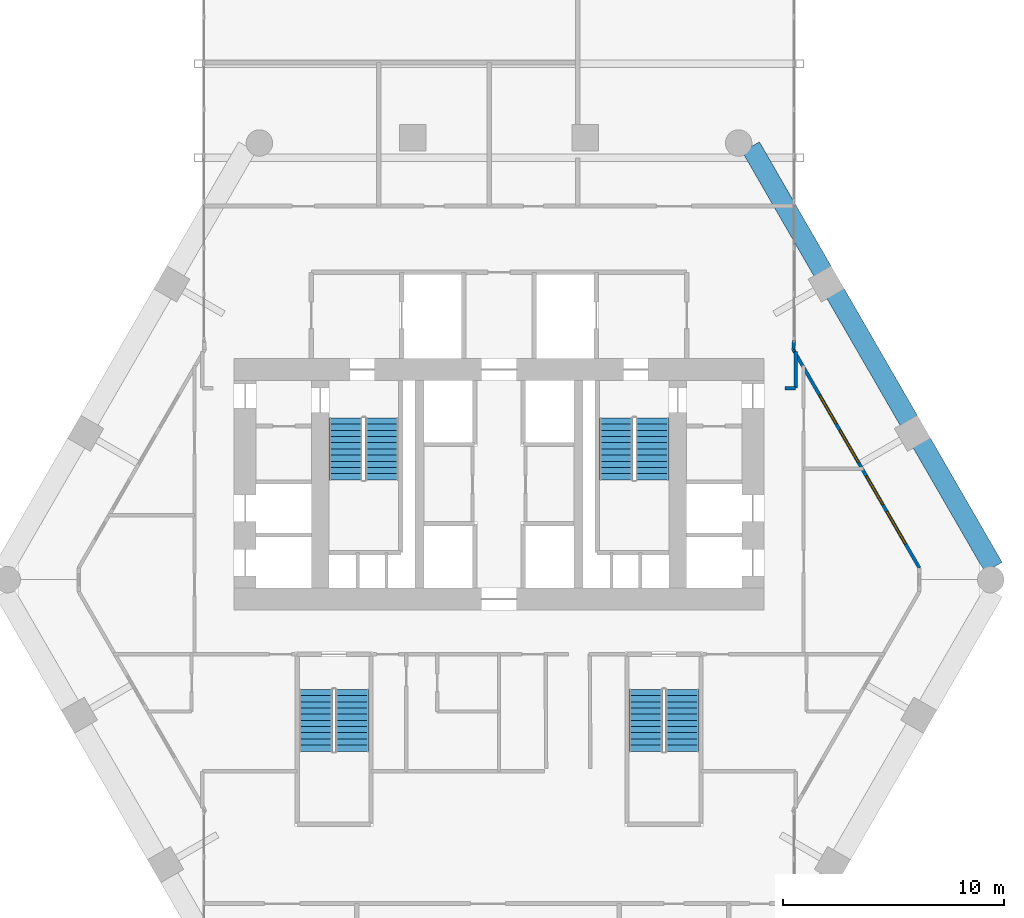
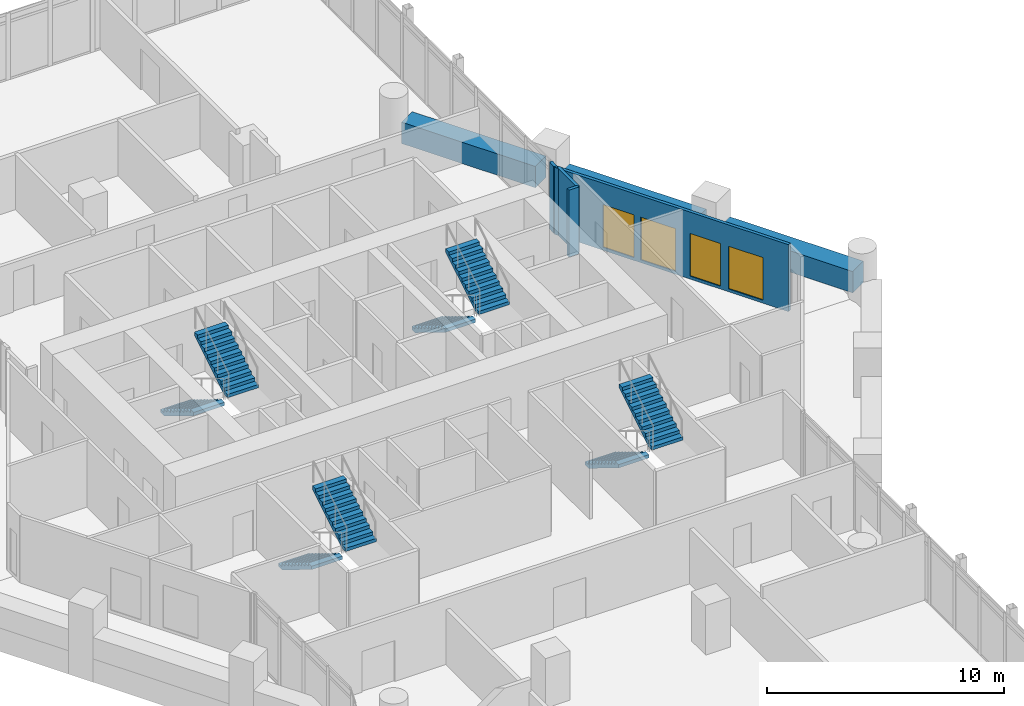
# One storey, part 27 of 28: 8 stair flights, 7 walls, 4 windows, 4 openings, 4 elements without a shape of their own.
"""IFC4 building model written with IfcOpenShell, lengths in metres."""

from ifc_helpers import new_model, si_unit, direction, frame, frame_2d, origin, place, context, subcontext, project, spatial, polyline, rectangle, outline, extrude, material, layer, layer_set, type_object, element, fill, aggregate, save


model = new_model("IFC4")

# Units and contexts
model_context = context("Model", 3, precision=1e-05, world=origin(), true_north=direction((0.0, 1.0)))
body_context = subcontext(model_context, "Body", "Model", "MODEL_VIEW")
ifc_project = project(units=[si_unit("LENGTHUNIT", "METRE"), si_unit("AREAUNIT", "SQUARE_METRE"), si_unit("VOLUMEUNIT", "CUBIC_METRE"), si_unit("PLANEANGLEUNIT", "RADIAN"), si_unit("MASSUNIT", "GRAM", prefix="KILO")], contexts=[model_context])

# Site, building, storey
site_placement = place(None, origin())
site = spatial("IfcSite", under=ifc_project, at=site_placement, CompositionType="ELEMENT")
building_placement = place(site_placement, origin())
building = spatial("IfcBuilding", under=site, at=building_placement, Name="Ostrander Bayou Hotel Tower", CompositionType="ELEMENT")
storey_placement = place(building_placement, frame((0.0, 0.0, 104.25)))
storey = spatial("IfcBuildingStorey", under=building, at=storey_placement, Name="L26", CompositionType="ELEMENT", Elevation=104.25)

# Wall, openings, windows
ifc_material_1 = material(Name="Aluminium framed insulated wall", Category="aluminium")
ifc_layer_1 = layer(ifc_material_1, 0.14990234375)
ifc_layer_set_1 = layer_set([ifc_layer_1], Name="GW1 glass-line wall 150 mm")
wall_type_1 = type_object("IfcWallType", Name="GW1 glass-line wall 150 mm", PredefinedType="SOLIDWALL", material=ifc_layer_set_1)
wall_1_placement = place(storey_placement, frame((19.046875, 0.205078125, 0.0), z_axis=(0.0, 0.0, 1.0), x_axis=(-0.499990645009, 0.866030804823, 0.0)))
wall_1 = element("IfcWall", 1, at=wall_1_placement, inside=storey, type_object=wall_type_1, Name="GW1 L26 NE 1", PredefinedType="SOLIDWALL", context=body_context, shape_type="SweptSolid", body=[
    extrude(rectangle(XDim=11.426025390625, YDim=0.14990234375, at=frame_2d((5.712890625, 0.0))), origin(), (0.0, 0.0, 1.0), 3.449951171875),
])
opening_1_placement = place(wall_1_placement, frame((1.24560546875, 0.0, 0.14990234375)))
opening_1 = element("IfcOpeningElement", 2, at=opening_1_placement, cuts=wall_1, Name="Opening W8", PredefinedType="OPENING", context=body_context, shape_type="SweptSolid", body=[
    extrude(rectangle(XDim=1.699951171875, YDim=2.199951171875, at=frame_2d((0.85009765625, 1.10009765625))), frame((0.0, 0.074951171875, 0.0), z_axis=(0.0, -1.0, 0.0), x_axis=(1.0, 0.0, 0.0)), (0.0, 0.0, 1.0), 0.14990234375),
])
opening_2_placement = place(wall_1_placement, frame((3.314208984375, 0.0, 0.14990234375)))
opening_2 = element("IfcOpeningElement", 3, at=opening_2_placement, cuts=wall_1, Name="Opening W12", PredefinedType="OPENING", context=body_context, shape_type="SweptSolid", body=[
    extrude(rectangle(XDim=1.5, YDim=2.199951171875, at=frame_2d((0.75, 1.10009765625))), frame((0.0, 0.074951171875, 0.0), z_axis=(0.0, -1.0, 0.0), x_axis=(1.0, 0.0, 0.0)), (0.0, 0.0, 1.0), 0.14990234375),
])
opening_3_placement = place(wall_1_placement, frame((5.51416015625, 0.0, 0.14990234375)))
opening_3 = element("IfcOpeningElement", 4, at=opening_3_placement, cuts=wall_1, Name="Opening W8", PredefinedType="OPENING", context=body_context, shape_type="SweptSolid", body=[
    extrude(rectangle(XDim=1.699951171875, YDim=2.199951171875, at=frame_2d((0.85009765625, 1.10009765625))), frame((0.0, 0.074951171875, 0.0), z_axis=(0.0, -1.0, 0.0), x_axis=(1.0, 0.0, 0.0)), (0.0, 0.0, 1.0), 0.14990234375),
])
opening_4_placement = place(wall_1_placement, frame((7.545654296875, 0.0, 0.14990234375)))
opening_4 = element("IfcOpeningElement", 5, at=opening_4_placement, cuts=wall_1, Name="Opening W12", PredefinedType="OPENING", context=body_context, shape_type="SweptSolid", body=[
    extrude(rectangle(XDim=1.5, YDim=2.199951171875, at=frame_2d((0.75, 1.10009765625))), frame((0.0, 0.074951171875, 0.0), z_axis=(0.0, -1.0, 0.0), x_axis=(1.0, 0.0, 0.0)), (0.0, 0.0, 1.0), 0.14990234375),
])
ifc_material_2 = material(Name="Aluminium and clear glass", Category="aluminium")
window_type_1 = type_object("IfcWindowType", Name="W12 fixed window 1500 mm, bath bay, zone 2", PartitioningType="SINGLE_PANEL", PredefinedType="WINDOW", material=ifc_material_2)
window_1_placement = place(opening_2_placement, origin())
window_1 = element("IfcWindow", 6, at=window_1_placement, inside=storey, type_object=window_type_1, Name="W12 L26 NE 1", OverallHeight=2.199951171875, OverallWidth=1.5, PartitioningType="SINGLE_PANEL", PredefinedType="WINDOW", context=body_context, shape_type="SweptSolid", body=[
    extrude(rectangle(XDim=1.5, YDim=2.199951171875, at=frame_2d((0.75, 1.10009765625))), frame((0.0, 0.030029296875, 0.0), z_axis=(0.0, -1.0, 0.0), x_axis=(1.0, 0.0, 0.0)), (0.0, 0.0, 1.0), 0.06005859375),
])
fill(opening_2, window_1)
window_2_placement = place(opening_4_placement, origin())
window_2 = element("IfcWindow", 7, at=window_2_placement, inside=storey, type_object=window_type_1, Name="W12 L26 NE 2", OverallHeight=2.199951171875, OverallWidth=1.5, PartitioningType="SINGLE_PANEL", PredefinedType="WINDOW", context=body_context, shape_type="SweptSolid", body=[
    extrude(rectangle(XDim=1.5, YDim=2.199951171875, at=frame_2d((0.75, 1.10009765625))), frame((0.0, 0.030029296875, 0.0), z_axis=(0.0, -1.0, 0.0), x_axis=(1.0, 0.0, 0.0)), (0.0, 0.0, 1.0), 0.06005859375),
])
fill(opening_4, window_2)
ifc_material_3 = material(Name="Aluminium and clear glass", Category="aluminium")
window_type_2 = type_object("IfcWindowType", Name="W8 fixed window 1700 mm, bar storeys, zone 2", PartitioningType="SINGLE_PANEL", PredefinedType="WINDOW", material=ifc_material_3)
window_3_placement = place(opening_1_placement, origin())
window_3 = element("IfcWindow", 8, at=window_3_placement, inside=storey, type_object=window_type_2, Name="W8 L26 NE 1", OverallHeight=2.199951171875, OverallWidth=1.699951171875, PartitioningType="SINGLE_PANEL", PredefinedType="WINDOW", context=body_context, shape_type="SweptSolid", body=[
    extrude(rectangle(XDim=1.699951171875, YDim=2.199951171875, at=frame_2d((0.85009765625, 1.10009765625))), frame((0.0, 0.030029296875, 0.0), z_axis=(0.0, -1.0, 0.0), x_axis=(1.0, 0.0, 0.0)), (0.0, 0.0, 1.0), 0.06005859375),
])
fill(opening_1, window_3)
window_4_placement = place(opening_3_placement, origin())
window_4 = element("IfcWindow", 9, at=window_4_placement, inside=storey, type_object=window_type_2, Name="W8 L26 NE 2", OverallHeight=2.199951171875, OverallWidth=1.699951171875, PartitioningType="SINGLE_PANEL", PredefinedType="WINDOW", context=body_context, shape_type="SweptSolid", body=[
    extrude(rectangle(XDim=1.699951171875, YDim=2.199951171875, at=frame_2d((0.85009765625, 1.10009765625))), frame((0.0, 0.030029296875, 0.0), z_axis=(0.0, -1.0, 0.0), x_axis=(1.0, 0.0, 0.0)), (0.0, 0.0, 1.0), 0.06005859375),
])
fill(opening_3, window_4)

# Walls
wall_2_placement = place(storey_placement, frame((13.333984375, 10.100341796875, 0.0), z_axis=(0.0, 0.0, 1.0), x_axis=(0.078869316502, 0.996884963732, 0.0)))
element("IfcWall", 10, at=wall_2_placement, inside=storey, type_object=wall_type_1, Name="GW1 L26 bar joint 4", PredefinedType="SOLIDWALL", context=body_context, shape_type="SweptSolid", body=[
    extrude(rectangle(XDim=0.4208984375, YDim=0.14990234375, at=frame_2d((0.21044921875, 0.0))), origin(), (0.0, 0.0, 1.0), 3.449951171875),
])
ifc_material_4 = material(Name="Concrete f'c 40 MPa", Category="concrete")
ifc_layer_2 = layer(ifc_material_4, 0.89990234375)
ifc_layer_set_2 = layer_set([ifc_layer_2], Name="PA1 stone-faced parapet 900 mm")
wall_type_2 = type_object("IfcWallType", Name="PA1 stone-faced parapet 900 mm", PredefinedType="PARAPET", material=ifc_layer_set_2)
wall_3_placement = place(storey_placement, frame((22.406494140625, 0.236328125, 0.0), z_axis=(0.0, 0.0, 1.0), x_axis=(-0.500000042739, 0.866025379109, 0.0)))
element("IfcWall", 11, at=wall_3_placement, inside=storey, type_object=wall_type_2, Name="PA1 L26 NE-1", PredefinedType="PARAPET", context=body_context, shape_type="SweptSolid", body=[
    extrude(rectangle(XDim=6.52197265625, YDim=0.89990234375, at=frame_2d((3.260986328125, 0.0))), origin(), (0.0, 0.0, 1.0), 1.10009765625),
])
wall_4_placement = place(storey_placement, frame((18.575439453125, 6.87158203125, 0.0), z_axis=(0.0, 0.0, 1.0), x_axis=(-0.499999023957, 0.866025967302, 0.0)))
element("IfcWall", 12, at=wall_4_placement, inside=storey, type_object=wall_type_2, Name="PA1 L26 NE-2", PredefinedType="PARAPET", context=body_context, shape_type="SweptSolid", body=[
    extrude(rectangle(XDim=6.67333984375, YDim=0.89990234375, at=frame_2d((3.336669921875, 0.0))), origin(), (0.0, 0.0, 1.0), 1.10009765625),
])
wall_5_placement = place(storey_placement, frame((14.668701171875, 13.63818359375, 0.0), z_axis=(0.0, 0.0, 1.0), x_axis=(-0.499971966783, 0.866041588165, 0.0)))
element("IfcWall", 13, at=wall_5_placement, inside=storey, type_object=wall_type_2, Name="PA1 L26 NE-3", PredefinedType="PARAPET", context=body_context, shape_type="SweptSolid", body=[
    extrude(rectangle(XDim=6.521728515625, YDim=0.89990234375, at=frame_2d((3.2607421875, 0.0))), origin(), (0.0, 0.0, 1.0), 1.10009765625),
])
ifc_material_5 = material(Name="Gypsum board partition", Category="finish")
ifc_layer_3 = layer(ifc_material_5, 0.14990234375)
ifc_layer_set_3 = layer_set([ifc_layer_3], Name="PT8 service band wall 150 mm, 1 hour")
wall_type_3 = type_object("IfcWallType", Name="PT8 service band wall 150 mm, 1 hour", PredefinedType="PARTITIONING", material=ifc_layer_set_3)
wall_6_placement = place(storey_placement, frame((12.949951171875, 8.35498046875, 0.0), z_axis=(0.0, 0.0, 1.0), x_axis=(1.0, 0.0, 0.0)))
element("IfcWall", 14, at=wall_6_placement, inside=storey, type_object=wall_type_3, Name="gw:L26:014", PredefinedType="PARTITIONING", context=body_context, shape_type="SweptSolid", body=[
    extrude(rectangle(XDim=0.489990234375, YDim=0.14990234375, at=frame_2d((0.2451171875, 0.0))), origin(), (0.0, 0.0, 1.0), 3.449951171875),
])
wall_7_placement = place(storey_placement, frame((13.43994140625, 8.35498046875, 0.0), z_axis=(0.0, 0.0, 1.0), x_axis=(0.0, 1.0, 0.0)))
element("IfcWall", 15, at=wall_7_placement, inside=storey, type_object=wall_type_3, Name="gw:L26:018", PredefinedType="PARTITIONING", context=body_context, shape_type="SweptSolid", body=[
    extrude(rectangle(XDim=1.652099609375, YDim=0.14990234375, at=frame_2d((0.826171875, 0.0))), origin(), (0.0, 0.0, 1.0), 3.449951171875),
])

# Stair, stair flights
ifc_material_6 = material(Name="Concrete f'c 45 MPa", Category="concrete")
stair_type = type_object("IfcStairType", Name="ST1 exit stair 1500 mm f'c 45 MPa", PredefinedType="HALF_TURN_STAIR", material=ifc_material_6)
stair_1_placement = place(storey_placement, origin())
stair_1 = element("IfcStair", 16, at=stair_1_placement, inside=storey, type_object=stair_type, Name="L26 exit stair A", PredefinedType="HALF_TURN_STAIR")
ifc_material_7 = material(Name="Concrete f'c 45 MPa", Category="concrete")
stair_flight_type = type_object("IfcStairFlightType", Name="SF1 stair flight 1500 mm f'c 45 MPa", PredefinedType="STRAIGHT", material=ifc_material_7)
stair_flight_1_placement = place(storey_placement, frame((-6.949951171875, 7.0, 0.0), z_axis=(0.0, 0.0, 1.0), x_axis=(0.0, -1.0, 0.0)))
stair_flight_1 = element("IfcStairFlight", 17, at=stair_flight_1_placement, type_object=stair_flight_type, Name="STA flight 1", NumberOfRisers=11, NumberOfTreads=10, PredefinedType="STRAIGHT", RiserHeight=0.170454545, TreadLength=0.28, context=body_context, shape_type="SweptSolid", body=[
    extrude(outline(polyline([(0.0, 0.0), (0.0, 0.17041015625), (0.280029296875, 0.17041015625), (0.280029296875, 0.3408203125), (0.56005859375, 0.3408203125), (0.56005859375, 0.511474609375), (0.840087890625, 0.511474609375), (0.840087890625, 0.681884765625), (1.1201171875, 0.681884765625), (1.1201171875, 0.852294921875), (1.39990234375, 0.852294921875), (1.39990234375, 1.022705078125), (1.679931640625, 1.022705078125), (1.679931640625, 1.193115234375), (1.9599609375, 1.193115234375), (1.9599609375, 1.363525390625), (2.239990234375, 1.363525390625), (2.239990234375, 1.5341796875), (2.52001953125, 1.5341796875), (2.52001953125, 1.70458984375), (2.800048828125, 1.70458984375), (2.800048828125, 1.875), (2.800048828125, 1.529052734375), (0.288330078125, 0.0), (0.0, 0.0)])), frame((0.0, 0.75, 0.0), z_axis=(0.0, -1.0, 0.0), x_axis=(1.0, 0.0, 0.0)), (0.0, 0.0, 1.0), 1.5),
])
stair_flight_2_placement = place(storey_placement, frame((-5.300048828125, 4.199951171875, 1.875), z_axis=(0.0, 0.0, 1.0), x_axis=(0.0, 1.0, 0.0)))
stair_flight_2 = element("IfcStairFlight", 18, at=stair_flight_2_placement, type_object=stair_flight_type, Name="STA flight 2", NumberOfRisers=11, NumberOfTreads=10, PredefinedType="STRAIGHT", RiserHeight=0.170454545, TreadLength=0.28, context=body_context, shape_type="SweptSolid", body=[
    extrude(outline(polyline([(0.0, 0.0), (0.0, 0.17041015625), (0.280029296875, 0.17041015625), (0.280029296875, 0.3408203125), (0.56005859375, 0.3408203125), (0.56005859375, 0.511474609375), (0.840087890625, 0.511474609375), (0.840087890625, 0.681884765625), (1.1201171875, 0.681884765625), (1.1201171875, 0.852294921875), (1.39990234375, 0.852294921875), (1.39990234375, 1.022705078125), (1.679931640625, 1.022705078125), (1.679931640625, 1.193115234375), (1.9599609375, 1.193115234375), (1.9599609375, 1.363525390625), (2.239990234375, 1.363525390625), (2.239990234375, 1.5341796875), (2.52001953125, 1.5341796875), (2.52001953125, 1.70458984375), (2.800048828125, 1.70458984375), (2.800048828125, 1.875), (2.800048828125, 1.529052734375), (0.288330078125, 0.0), (0.0, 0.0)])), frame((0.0, 0.75, 0.0), z_axis=(0.0, -1.0, 0.0), x_axis=(1.0, 0.0, 0.0)), (0.0, 0.0, 1.0), 1.5),
])
aggregate(stair_1, [stair_flight_1, stair_flight_2])

stair_2_placement = place(storey_placement, origin())
stair_2 = element("IfcStair", 19, at=stair_2_placement, inside=storey, type_object=stair_type, Name="L26 exit stair B", PredefinedType="HALF_TURN_STAIR")
stair_flight_3_placement = place(storey_placement, frame((5.300048828125, 7.0, 0.0), z_axis=(0.0, 0.0, 1.0), x_axis=(0.0, -1.0, 0.0)))
stair_flight_3 = element("IfcStairFlight", 20, at=stair_flight_3_placement, type_object=stair_flight_type, Name="STB flight 1", NumberOfRisers=11, NumberOfTreads=10, PredefinedType="STRAIGHT", RiserHeight=0.170454545, TreadLength=0.28, context=body_context, shape_type="SweptSolid", body=[
    extrude(outline(polyline([(0.0, 0.0), (0.0, 0.17041015625), (0.280029296875, 0.17041015625), (0.280029296875, 0.3408203125), (0.56005859375, 0.3408203125), (0.56005859375, 0.511474609375), (0.840087890625, 0.511474609375), (0.840087890625, 0.681884765625), (1.1201171875, 0.681884765625), (1.1201171875, 0.852294921875), (1.39990234375, 0.852294921875), (1.39990234375, 1.022705078125), (1.679931640625, 1.022705078125), (1.679931640625, 1.193115234375), (1.9599609375, 1.193115234375), (1.9599609375, 1.363525390625), (2.239990234375, 1.363525390625), (2.239990234375, 1.5341796875), (2.52001953125, 1.5341796875), (2.52001953125, 1.70458984375), (2.800048828125, 1.70458984375), (2.800048828125, 1.875), (2.800048828125, 1.529052734375), (0.288330078125, 0.0), (0.0, 0.0)])), frame((0.0, 0.75, 0.0), z_axis=(0.0, -1.0, 0.0), x_axis=(1.0, 0.0, 0.0)), (0.0, 0.0, 1.0), 1.5),
])
stair_flight_4_placement = place(storey_placement, frame((6.949951171875, 4.199951171875, 1.875), z_axis=(0.0, 0.0, 1.0), x_axis=(0.0, 1.0, 0.0)))
stair_flight_4 = element("IfcStairFlight", 21, at=stair_flight_4_placement, type_object=stair_flight_type, Name="STB flight 2", NumberOfRisers=11, NumberOfTreads=10, PredefinedType="STRAIGHT", RiserHeight=0.170454545, TreadLength=0.28, context=body_context, shape_type="SweptSolid", body=[
    extrude(outline(polyline([(0.0, 0.0), (0.0, 0.17041015625), (0.280029296875, 0.17041015625), (0.280029296875, 0.3408203125), (0.56005859375, 0.3408203125), (0.56005859375, 0.511474609375), (0.840087890625, 0.511474609375), (0.840087890625, 0.681884765625), (1.1201171875, 0.681884765625), (1.1201171875, 0.852294921875), (1.39990234375, 0.852294921875), (1.39990234375, 1.022705078125), (1.679931640625, 1.022705078125), (1.679931640625, 1.193115234375), (1.9599609375, 1.193115234375), (1.9599609375, 1.363525390625), (2.239990234375, 1.363525390625), (2.239990234375, 1.5341796875), (2.52001953125, 1.5341796875), (2.52001953125, 1.70458984375), (2.800048828125, 1.70458984375), (2.800048828125, 1.875), (2.800048828125, 1.529052734375), (0.288330078125, 0.0), (0.0, 0.0)])), frame((0.0, 0.75, 0.0), z_axis=(0.0, -1.0, 0.0), x_axis=(1.0, 0.0, 0.0)), (0.0, 0.0, 1.0), 1.5),
])
aggregate(stair_2, [stair_flight_3, stair_flight_4])

stair_3_placement = place(storey_placement, origin())
stair_3 = element("IfcStair", 22, at=stair_3_placement, inside=storey, type_object=stair_type, Name="L26 exit stair C", PredefinedType="HALF_TURN_STAIR")
stair_flight_5_placement = place(storey_placement, frame((6.64990234375, -5.300048828125, 0.0), z_axis=(0.0, 0.0, 1.0), x_axis=(0.0, -1.0, 0.0)))
stair_flight_5 = element("IfcStairFlight", 23, at=stair_flight_5_placement, type_object=stair_flight_type, Name="STC flight 1", NumberOfRisers=11, NumberOfTreads=10, PredefinedType="STRAIGHT", RiserHeight=0.170454545, TreadLength=0.28, context=body_context, shape_type="SweptSolid", body=[
    extrude(outline(polyline([(0.0, 0.0), (0.0, 0.17041015625), (0.280029296875, 0.17041015625), (0.280029296875, 0.3408203125), (0.56005859375, 0.3408203125), (0.56005859375, 0.511474609375), (0.840087890625, 0.511474609375), (0.840087890625, 0.681884765625), (1.1201171875, 0.681884765625), (1.1201171875, 0.852294921875), (1.39990234375, 0.852294921875), (1.39990234375, 1.022705078125), (1.679931640625, 1.022705078125), (1.679931640625, 1.193115234375), (1.9599609375, 1.193115234375), (1.9599609375, 1.363525390625), (2.239990234375, 1.363525390625), (2.239990234375, 1.5341796875), (2.52001953125, 1.5341796875), (2.52001953125, 1.70458984375), (2.800048828125, 1.70458984375), (2.800048828125, 1.875), (2.800048828125, 1.529052734375), (0.288330078125, 0.0), (0.0, 0.0)])), frame((0.0, 0.75, 0.0), z_axis=(0.0, -1.0, 0.0), x_axis=(1.0, 0.0, 0.0)), (0.0, 0.0, 1.0), 1.5),
])
stair_flight_6_placement = place(storey_placement, frame((8.300048828125, -8.10009765625, 1.875), z_axis=(0.0, 0.0, 1.0), x_axis=(0.0, 1.0, 0.0)))
stair_flight_6 = element("IfcStairFlight", 24, at=stair_flight_6_placement, type_object=stair_flight_type, Name="STC flight 2", NumberOfRisers=11, NumberOfTreads=10, PredefinedType="STRAIGHT", RiserHeight=0.170454545, TreadLength=0.28, context=body_context, shape_type="SweptSolid", body=[
    extrude(outline(polyline([(0.0, 0.0), (0.0, 0.17041015625), (0.280029296875, 0.17041015625), (0.280029296875, 0.3408203125), (0.56005859375, 0.3408203125), (0.56005859375, 0.511474609375), (0.840087890625, 0.511474609375), (0.840087890625, 0.681884765625), (1.1201171875, 0.681884765625), (1.1201171875, 0.852294921875), (1.39990234375, 0.852294921875), (1.39990234375, 1.022705078125), (1.679931640625, 1.022705078125), (1.679931640625, 1.193115234375), (1.9599609375, 1.193115234375), (1.9599609375, 1.363525390625), (2.239990234375, 1.363525390625), (2.239990234375, 1.5341796875), (2.52001953125, 1.5341796875), (2.52001953125, 1.70458984375), (2.800048828125, 1.70458984375), (2.800048828125, 1.875), (2.800048828125, 1.529052734375), (0.288330078125, 0.0), (0.0, 0.0)])), frame((0.0, 0.75, 0.0), z_axis=(0.0, -1.0, 0.0), x_axis=(1.0, 0.0, 0.0)), (0.0, 0.0, 1.0), 1.5),
])
aggregate(stair_3, [stair_flight_5, stair_flight_6])

stair_4_placement = place(storey_placement, origin())
stair_4 = element("IfcStair", 25, at=stair_4_placement, inside=storey, type_object=stair_type, Name="L26 exit stair D", PredefinedType="HALF_TURN_STAIR")
stair_flight_7_placement = place(storey_placement, frame((-8.300048828125, -5.300048828125, 0.0), z_axis=(0.0, 0.0, 1.0), x_axis=(0.0, -1.0, 0.0)))
stair_flight_7 = element("IfcStairFlight", 26, at=stair_flight_7_placement, type_object=stair_flight_type, Name="STD flight 1", NumberOfRisers=11, NumberOfTreads=10, PredefinedType="STRAIGHT", RiserHeight=0.170454545, TreadLength=0.28, context=body_context, shape_type="SweptSolid", body=[
    extrude(outline(polyline([(0.0, 0.0), (0.0, 0.17041015625), (0.280029296875, 0.17041015625), (0.280029296875, 0.3408203125), (0.56005859375, 0.3408203125), (0.56005859375, 0.511474609375), (0.840087890625, 0.511474609375), (0.840087890625, 0.681884765625), (1.1201171875, 0.681884765625), (1.1201171875, 0.852294921875), (1.39990234375, 0.852294921875), (1.39990234375, 1.022705078125), (1.679931640625, 1.022705078125), (1.679931640625, 1.193115234375), (1.9599609375, 1.193115234375), (1.9599609375, 1.363525390625), (2.239990234375, 1.363525390625), (2.239990234375, 1.5341796875), (2.52001953125, 1.5341796875), (2.52001953125, 1.70458984375), (2.800048828125, 1.70458984375), (2.800048828125, 1.875), (2.800048828125, 1.529052734375), (0.288330078125, 0.0), (0.0, 0.0)])), frame((0.0, 0.75, 0.0), z_axis=(0.0, -1.0, 0.0), x_axis=(1.0, 0.0, 0.0)), (0.0, 0.0, 1.0), 1.5),
])
stair_flight_8_placement = place(storey_placement, frame((-6.64990234375, -8.10009765625, 1.875), z_axis=(0.0, 0.0, 1.0), x_axis=(0.0, 1.0, 0.0)))
stair_flight_8 = element("IfcStairFlight", 27, at=stair_flight_8_placement, type_object=stair_flight_type, Name="STD flight 2", NumberOfRisers=11, NumberOfTreads=10, PredefinedType="STRAIGHT", RiserHeight=0.170454545, TreadLength=0.28, context=body_context, shape_type="SweptSolid", body=[
    extrude(outline(polyline([(0.0, 0.0), (0.0, 0.17041015625), (0.280029296875, 0.17041015625), (0.280029296875, 0.3408203125), (0.56005859375, 0.3408203125), (0.56005859375, 0.511474609375), (0.840087890625, 0.511474609375), (0.840087890625, 0.681884765625), (1.1201171875, 0.681884765625), (1.1201171875, 0.852294921875), (1.39990234375, 0.852294921875), (1.39990234375, 1.022705078125), (1.679931640625, 1.022705078125), (1.679931640625, 1.193115234375), (1.9599609375, 1.193115234375), (1.9599609375, 1.363525390625), (2.239990234375, 1.363525390625), (2.239990234375, 1.5341796875), (2.52001953125, 1.5341796875), (2.52001953125, 1.70458984375), (2.800048828125, 1.70458984375), (2.800048828125, 1.875), (2.800048828125, 1.529052734375), (0.288330078125, 0.0), (0.0, 0.0)])), frame((0.0, 0.75, 0.0), z_axis=(0.0, -1.0, 0.0), x_axis=(1.0, 0.0, 0.0)), (0.0, 0.0, 1.0), 1.5),
])
aggregate(stair_4, [stair_flight_7, stair_flight_8])

save(model, "model.ifc")
